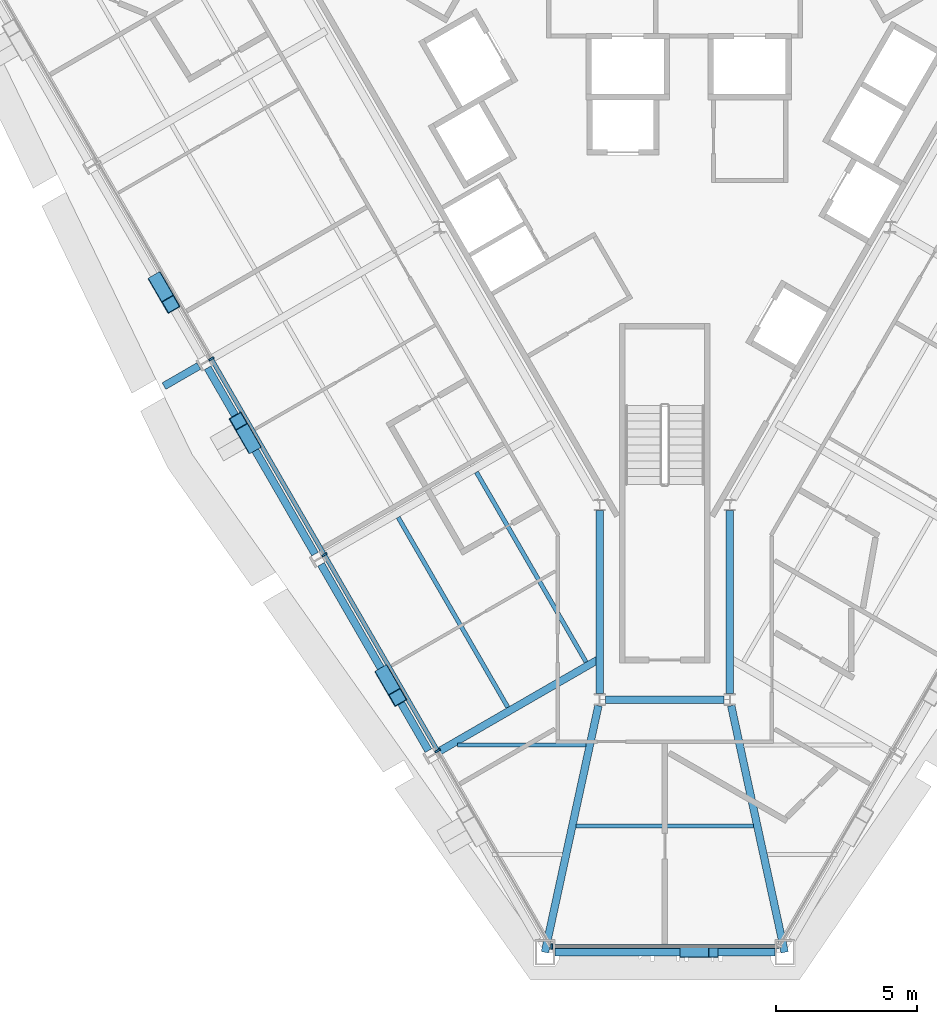
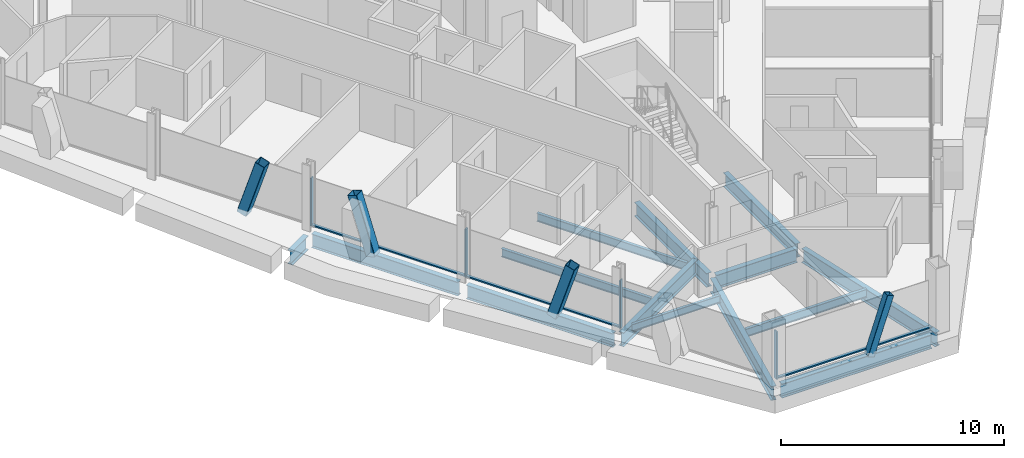
# One storey, part 3 of 16: 14 beams, 11 members, 2 elements without a shape of their own.
"""IFC4 building model written with IfcOpenShell, lengths in metres."""

import ifcopenshell
import ifcopenshell.guid

model = None  # the IFC model being written
_history = None  # IfcOwnerHistory: only IFC2X3 demands one
_inside = {}  # id of a spatial element -> (the spatial element, [elements in it])
_under = {}  # id of a project, library or spatial element -> (it, [spatial elements below it])
_declared = {}  # id of a project -> (the project, [libraries it declares])
_typed = {}  # id of a type object -> (the type object, [elements of that type])
_made_of = {}  # id of a material, layer set ... -> (it, [elements and type objects made of it])


def new_model(schema):
    """Start an empty IFC model of exactly this schema.

    Asked for "IFC4X3", IfcOpenShell would pick the latest addendum, in which some entities
    have other attributes; the version numbers below select the first issue.
    IFC2X3 requires an IfcOwnerHistory on every rooted entity: one is made here for all.
    """
    global model, _history
    if schema == "IFC4X3":
        model = ifcopenshell.file(schema_version=(4, 3, 0, 0))
    else:
        model = ifcopenshell.file(schema=schema)
    _inside.clear()
    _under.clear()
    _declared.clear()
    _typed.clear()
    _made_of.clear()
    _history = None
    if model.schema == "IFC2X3":
        org = make("IfcOrganization", Name="unknown")
        user = make(
            "IfcPersonAndOrganization",
            ThePerson=make("IfcPerson", FamilyName="unknown"),
            TheOrganization=org,
        )
        app = make(
            "IfcApplication",
            ApplicationDeveloper=org,
            Version="unknown",
            ApplicationFullName="unknown",
            ApplicationIdentifier="unknown",
        )
        _history = make(
            "IfcOwnerHistory",
            OwningUser=user,
            OwningApplication=app,
            ChangeAction="ADDED",
            CreationDate=0,
        )
    return model


def make(cls, **values):
    """One entity of the class cls with the attributes given. An attribute that is None is left unset."""
    return model.create_entity(
        cls, **{name: value for name, value in values.items() if value is not None}
    )


def rooted(cls, **values):
    """An entity with a GlobalId (a new one), such as an element, a storey or a relation."""
    return make(cls, GlobalId=ifcopenshell.guid.new(), OwnerHistory=_history, **values)


def si_unit(unit_type, name, prefix=None):
    """IfcSIUnit, for example si_unit("LENGTHUNIT", "METRE", prefix="MILLI")."""
    return make("IfcSIUnit", UnitType=unit_type, Prefix=prefix, Name=name)


def assignment(units):
    """IfcUnitAssignment: the units of a project."""
    return None if units is None else make("IfcUnitAssignment", Units=units)


def point(xyz):
    """IfcCartesianPoint."""
    return None if xyz is None else make("IfcCartesianPoint", Coordinates=xyz)


def direction(xyz):
    """IfcDirection."""
    return None if xyz is None else make("IfcDirection", DirectionRatios=xyz)


def frame(location, z_axis=None, x_axis=None):
    """IfcAxis2Placement3D, a coordinate frame: its origin and axes. An axis left out is left unset."""
    return make(
        "IfcAxis2Placement3D",
        Location=point(location),
        Axis=direction(z_axis),
        RefDirection=direction(x_axis),
    )


def frame_2d(location, x_axis=None):
    """IfcAxis2Placement2D, a coordinate frame in the plane: its origin and x axis."""
    return make(
        "IfcAxis2Placement2D", Location=point(location), RefDirection=direction(x_axis)
    )


def origin():
    """The frame at (0, 0, 0) with its axes left unset."""
    return frame((0.0, 0.0, 0.0))


def origin_2d():
    """The frame at (0, 0) in the plane with its x axis left unset."""
    return frame_2d((0.0, 0.0))


def place(relative_to, where):
    """IfcLocalPlacement: puts the frame where relative to a parent placement (None: the world)."""
    return make(
        "IfcLocalPlacement", PlacementRelTo=relative_to, RelativePlacement=where
    )


def context(
    kind, dimensions, precision=None, world=None, true_north=None, identifier=None
):
    """IfcGeometricRepresentationContext, for example the 3D "Model" context."""
    return make(
        "IfcGeometricRepresentationContext",
        ContextIdentifier=identifier,
        ContextType=kind,
        CoordinateSpaceDimension=dimensions,
        Precision=precision,
        WorldCoordinateSystem=world,
        TrueNorth=true_north,
    )


def subcontext(parent, identifier, kind, view, scale=None):
    """IfcGeometricRepresentationSubContext, for example "Body" below "Model"."""
    return make(
        "IfcGeometricRepresentationSubContext",
        ContextIdentifier=identifier,
        ContextType=kind,
        ParentContext=parent,
        TargetScale=scale,
        TargetView=view,
    )


def project(units=None, contexts=None):
    """IfcProject with its units and contexts."""
    return rooted(
        "IfcProject",
        Name="project",
        RepresentationContexts=contexts,
        UnitsInContext=assignment(units),
    )


def spatial(cls, under=None, at=None, **own):
    """A site, building, storey or space (cls), placed at a placement, below another one or the project."""
    s = rooted(cls, ObjectPlacement=at, **own)
    if under is not None:
        _under.setdefault(under.id(), (under, []))[1].append(s)
    return s


def profile(cls, at=None, kind="AREA", **sizes):
    """A parametric profile (cls). Its sizes go by their IFC names, for example OverallWidth=200.0."""
    return make(cls, ProfileType=kind, Position=at, **sizes)


def rectangle(**sizes):
    """IfcRectangleProfileDef."""
    return profile("IfcRectangleProfileDef", **sizes)


def hollow_rectangle(**sizes):
    """IfcRectangleHollowProfileDef."""
    return profile("IfcRectangleHollowProfileDef", **sizes)


def i_section(**sizes):
    """IfcIShapeProfileDef."""
    return profile("IfcIShapeProfileDef", **sizes)


def extrude(swept, where, along, depth):
    """IfcExtrudedAreaSolid: the profile swept, set in the frame where, extruded along a direction by depth."""
    return make(
        "IfcExtrudedAreaSolid",
        SweptArea=swept,
        Position=where,
        ExtrudedDirection=direction(along),
        Depth=depth,
    )


def shape(context_of_items, identifier, shape_type, items):
    """IfcShapeRepresentation: the items that make up one representation, for example the "Body"."""
    return make(
        "IfcShapeRepresentation",
        ContextOfItems=context_of_items,
        RepresentationIdentifier=identifier,
        RepresentationType=shape_type,
        Items=items,
    )


def material(Name=None, Category=None):
    """IfcMaterial."""
    return make("IfcMaterial", Name=Name, Category=Category)


def material_profile(
    of_material, cross_section, Name=None, Category=None, Priority=None
):
    """IfcMaterialProfile: a cross section and its material."""
    return make(
        "IfcMaterialProfile",
        Name=Name,
        Material=of_material,
        Profile=cross_section,
        Priority=Priority,
        Category=Category,
    )


def profile_set(profiles, Name=None, composite=None):
    """IfcMaterialProfileSet."""
    return make(
        "IfcMaterialProfileSet",
        Name=Name,
        MaterialProfiles=profiles,
        CompositeProfile=composite,
    )


def made_of(thing, what):
    """Note that an element or type object is made of a material, layer set ...; save() writes the relation."""
    if what is not None:
        _made_of.setdefault(what.id(), (what, []))[1].append(thing)
    return thing


def type_object(cls, material=None, **own):
    """A type object (cls), such as IfcWallType, which elements share."""
    return made_of(rooted(cls, **own), material)


def element(
    cls,
    number,
    at=None,
    inside=None,
    cuts=None,
    type_object=None,
    material=None,
    context=None,
    identifier="Body",
    shape_type=None,
    held_by="IfcProductDefinitionShape",
    body=None,
    shapes=None,
    **own,
):
    """One element of the class cls, such as IfcWall. Its Tag is "e" and its number.

    at: its placement. inside: the storey or other place that contains it. cuts: it is an
    opening in that element (IfcRelVoidsElement). A single representation is given by context,
    identifier, shape_type and body (its items); several are given by shapes. held_by: the class
    of the entity that holds the representations. save() writes the other relations.
    """
    e = rooted(cls, Tag="e%d" % number, ObjectPlacement=at, **own)
    if body is not None:
        shapes = [shape(context, identifier, shape_type, body)]
    if shapes is not None:
        e.Representation = make(held_by, Representations=shapes)
    if inside is not None:
        _inside.setdefault(inside.id(), (inside, []))[1].append(e)
    if cuts is not None:
        rooted(
            "IfcRelVoidsElement", RelatingBuildingElement=cuts, RelatedOpeningElement=e
        )
    if type_object is not None:
        _typed.setdefault(type_object.id(), (type_object, []))[1].append(e)
    return made_of(e, material)


def aggregate(whole, parts):
    """IfcRelAggregates: a whole, such as a stair, and the parts it consists of."""
    return rooted("IfcRelAggregates", RelatingObject=whole, RelatedObjects=parts)


def save(model, path):
    """Write the relations noted so far, then the file.

    IfcRelAggregates (storeys below a building ...), IfcRelContainedInSpatialStructure (elements
    in a storey), IfcRelDefinesByType, IfcRelAssociatesMaterial and IfcRelDeclares: one each for
    every whole, place, type object, material and project.
    """
    for whole, parts in _under.values():
        aggregate(whole, parts)
    for where, things in _inside.values():
        rooted(
            "IfcRelContainedInSpatialStructure",
            RelatedElements=things,
            RelatingStructure=where,
        )
    for kind, things in _typed.values():
        rooted("IfcRelDefinesByType", RelatedObjects=things, RelatingType=kind)
    for what, things in _made_of.values():
        rooted("IfcRelAssociatesMaterial", RelatedObjects=things, RelatingMaterial=what)
    for by, libraries in _declared.values():
        rooted("IfcRelDeclares", RelatingContext=by, RelatedDefinitions=libraries)
    model.write(path)


model = new_model("IFC4")

# Units and contexts
model_context = context("Model", 3, precision=1e-05, world=origin(), true_north=direction((0.0, 1.0)))
body_context = subcontext(model_context, "Body", "Model", "MODEL_VIEW")
ifc_project = project(units=[si_unit("LENGTHUNIT", "METRE"), si_unit("AREAUNIT", "SQUARE_METRE"), si_unit("VOLUMEUNIT", "CUBIC_METRE"), si_unit("PLANEANGLEUNIT", "RADIAN"), si_unit("MASSUNIT", "GRAM", prefix="KILO")], contexts=[model_context])

# Site, building, storey
site_placement = place(None, origin())
site = spatial("IfcSite", under=ifc_project, at=site_placement, CompositionType="ELEMENT")
building_placement = place(site_placement, origin())
building = spatial("IfcBuilding", under=site, at=building_placement, Name="Verrane Prism Tower", CompositionType="ELEMENT")
storey_placement = place(building_placement, frame((0.0, 0.0, 107.199951171875)))
storey = spatial("IfcBuildingStorey", under=building, at=storey_placement, Name="L25", CompositionType="ELEMENT", Elevation=107.199951171875)

# Member
ifc_material_1 = material(Name="Steel A500 Grade C", Category="steel")
ifc_material_profile_1 = material_profile(ifc_material_1, hollow_rectangle(XDim=0.355712890625, YDim=0.355712890625, WallThickness=0.0126953125, InnerFilletRadius=0.00634765625, OuterFilletRadius=0.01904296875, at=origin_2d()), Name="HSS14x14x1/2")
ifc_profile_set_1 = profile_set([ifc_material_profile_1], Name="Steel A500 Grade C")
member_type_1 = type_object("IfcMemberType", Name="Chamfer brace HSS14x14x1/2", PredefinedType="BRACE", material=ifc_profile_set_1)
member_1_placement = place(storey_placement, frame((0.7060546875, -30.239990234375, -0.2451171875), z_axis=(0.318977035917, 0.0, 0.947762444159), x_axis=(0.0, 1.0, 0.0)))
element("IfcMember", 1, at=member_1_placement, inside=storey, type_object=member_type_1, Name="Chamfer brace S0 L25", PredefinedType="BRACE", context=body_context, shape_type="SweptSolid", body=[
    extrude(hollow_rectangle(XDim=0.355712890625, YDim=0.355712890625, WallThickness=0.0126953125, InnerFilletRadius=0.00634765625, OuterFilletRadius=0.01904296875, at=origin_2d()), origin(), (0.0, 0.0, 1.0), 3.168701171875),
])

# Beams
ifc_material_2 = material(Name="Steel A992", Category="steel")
ifc_material_profile_2 = material_profile(ifc_material_2, i_section(OverallWidth=0.2666015625, OverallDepth=0.76708984375, WebThickness=0.014892578125, FlangeThickness=0.023681640625, FilletRadius=0.0166015625, at=origin_2d()), Name="W30x124")
ifc_profile_set_2 = profile_set([ifc_material_profile_2], Name="Steel A992")
beam_type_1 = type_object("IfcBeamType", Name="Chamfer spandrel beam W30x124", PredefinedType="SPANDREL", material=ifc_profile_set_2)
beam_1_placement = place(storey_placement, frame((-3.889892578125, -30.239990234375, -0.54345703125), z_axis=(1.0, 0.0, 0.0), x_axis=(0.0, 1.0, 0.0)))
element("IfcBeam", 2, at=beam_1_placement, inside=storey, type_object=beam_type_1, Name="Chamfer spandrel beam L25", PredefinedType="SPANDREL", context=body_context, shape_type="SweptSolid", body=[
    extrude(i_section(OverallWidth=0.2666015625, OverallDepth=0.76708984375, WebThickness=0.014892578125, FlangeThickness=0.023681640625, FilletRadius=0.0166015625, at=origin_2d()), origin(), (0.0, 0.0, 1.0), 7.77978515625),
])
ifc_material_3 = material(Name="Steel A992", Category="steel")
ifc_material_profile_3 = material_profile(ifc_material_3, i_section(OverallWidth=0.2666015625, OverallDepth=0.7568359375, WebThickness=0.013916015625, FlangeThickness=0.019287109375, FilletRadius=0.0166015625, at=origin_2d()), Name="W30x108")
ifc_profile_set_3 = profile_set([ifc_material_profile_3], Name="Steel A992")
beam_type_2 = type_object("IfcBeamType", Name="Core ring girder W30x108", PredefinedType="BEAM", material=ifc_profile_set_3)
beam_2_placement = place(storey_placement, frame((-2.300048828125, -14.619384765625, -0.62841796875), z_axis=(0.0, -1.0, 0.0), x_axis=(1.0, 0.0, 0.0)))
element("IfcBeam", 3, at=beam_2_placement, inside=storey, type_object=beam_type_2, Name="Core ring girder L25", PredefinedType="BEAM", context=body_context, shape_type="SweptSolid", body=[
    extrude(i_section(OverallWidth=0.2666015625, OverallDepth=0.7568359375, WebThickness=0.013916015625, FlangeThickness=0.019287109375, FilletRadius=0.0166015625, at=origin_2d()), origin(), (0.0, 0.0, 1.0), 6.46337890625),
])
beam_3_placement = place(storey_placement, frame((-2.09423828125, -21.300048828125, -0.62841796875), z_axis=(1.0, 0.0, 0.0), x_axis=(0.0, 1.0, 0.0)))
element("IfcBeam", 4, at=beam_3_placement, inside=storey, type_object=beam_type_2, Name="Core ring girder L25", PredefinedType="BEAM", context=body_context, shape_type="SweptSolid", body=[
    extrude(i_section(OverallWidth=0.2666015625, OverallDepth=0.7568359375, WebThickness=0.013916015625, FlangeThickness=0.019287109375, FilletRadius=0.0166015625, at=origin_2d()), origin(), (0.0, 0.0, 1.0), 4.1884765625),
])
beam_4_placement = place(storey_placement, frame((2.300048828125, -21.082763671875, -0.62841796875), z_axis=(0.0, 1.0, 0.0), x_axis=(-1.0, 0.0, 0.0)))
element("IfcBeam", 5, at=beam_4_placement, inside=storey, type_object=beam_type_2, Name="Core ring girder L25", PredefinedType="BEAM", context=body_context, shape_type="SweptSolid", body=[
    extrude(i_section(OverallWidth=0.2666015625, OverallDepth=0.7568359375, WebThickness=0.013916015625, FlangeThickness=0.019287109375, FilletRadius=0.0166015625, at=origin_2d()), origin(), (0.0, 0.0, 1.0), 6.46337890625),
])
ifc_material_4 = material(Name="Steel A992", Category="steel")
ifc_material_profile_4 = material_profile(ifc_material_4, i_section(OverallWidth=0.2666015625, OverallDepth=0.76708984375, WebThickness=0.014892578125, FlangeThickness=0.023681640625, FilletRadius=0.0166015625, at=origin_2d()), Name="W30x124")
ifc_profile_set_4 = profile_set([ifc_material_profile_4], Name="Steel A992")
beam_type_3 = type_object("IfcBeamType", Name="Corner girder W30x124", PredefinedType="BEAM", material=ifc_profile_set_4)
for number, where, z_axis, x_axis, name in (
    (6, (-4.239501953125, -30.2373046875, -0.603515625), (0.21206955081, 0.977254575645, 0.0), (-0.977254575645, 0.21206955081, 0.0), "Corner girder L25"),
    (7, (4.239501953125, -30.2373046875, -0.603515625), (-0.21206955081, 0.977254575645, 0.0), (-0.977254575645, -0.21206955081, 0.0), "Corner girder L25"),
):
    element("IfcBeam", number, at=place(storey_placement, frame(where, z_axis=z_axis, x_axis=x_axis)), inside=storey, type_object=beam_type_3, Name=name, PredefinedType="BEAM", context=body_context, shape_type="SweptSolid", body=[
        extrude(i_section(OverallWidth=0.2666015625, OverallDepth=0.76708984375, WebThickness=0.014892578125, FlangeThickness=0.023681640625, FilletRadius=0.0166015625, at=origin_2d()), origin(), (0.0, 0.0, 1.0), 8.923095703125),
    ])

# Members
ifc_material_5 = material(Name="Steel A1085 Grade A", Category="steel")
ifc_material_profile_5 = material_profile(ifc_material_5, hollow_rectangle(XDim=0.508056640625, YDim=0.508056640625, WallThickness=0.025390625, InnerFilletRadius=0.0126953125, OuterFilletRadius=0.0380859375, at=origin_2d()), Name="HSS20x20x1")
ifc_profile_set_5 = profile_set([ifc_material_profile_5], Name="Steel A1085 Grade A")
member_type_2 = type_object("IfcMemberType", Name="Facade brace HSS20x20x1", PredefinedType="BRACE", material=ifc_profile_set_5)
member_2_placement = place(storey_placement, frame((-17.94140625, -6.497314453125, -0.242431640625), z_axis=(0.151596255509, -0.262431681093, 0.952968093943), x_axis=(0.865909288953, 0.500201062879, 0.0)))
element("IfcMember", 8, at=member_2_placement, inside=storey, type_object=member_type_2, Name="Facade brace SW2 L25", PredefinedType="BRACE", context=body_context, shape_type="SweptSolid", body=[
    extrude(hollow_rectangle(XDim=0.508056640625, YDim=0.508056640625, WallThickness=0.025390625, InnerFilletRadius=0.0126953125, OuterFilletRadius=0.0380859375, at=origin_2d()), origin(), (0.0, 0.0, 1.0), 3.156494140625),
])
member_3_placement = place(storey_placement, frame((-14.598388671875, -12.287109375, -0.242431640625), z_axis=(-0.151653337577, 0.262860629488, 0.952840781383), x_axis=(-0.866181343495, -0.499729807177, 0.0)))
element("IfcMember", 9, at=member_3_placement, inside=storey, type_object=member_type_2, Name="Facade brace SW3 L25", PredefinedType="BRACE", context=body_context, shape_type="SweptSolid", body=[
    extrude(hollow_rectangle(XDim=0.508056640625, YDim=0.508056640625, WallThickness=0.025390625, InnerFilletRadius=0.0126953125, OuterFilletRadius=0.0380859375, at=origin_2d()), origin(), (0.0, 0.0, 1.0), 3.156982421875),
])
member_4_placement = place(storey_placement, frame((-9.92138671875, -20.39306640625, -0.242431640625), z_axis=(0.151580861177, -0.262791717489, 0.952871321714), x_axis=(0.86622802292, 0.49964888903, 0.0)))
element("IfcMember", 10, at=member_4_placement, inside=storey, type_object=member_type_2, Name="Facade brace SW4 L25", PredefinedType="BRACE", context=body_context, shape_type="SweptSolid", body=[
    extrude(hollow_rectangle(XDim=0.508056640625, YDim=0.508056640625, WallThickness=0.025390625, InnerFilletRadius=0.0126953125, OuterFilletRadius=0.0380859375, at=origin_2d()), origin(), (0.0, 0.0, 1.0), 3.15673828125),
])

# Beams
ifc_material_6 = material(Name="Steel A992", Category="steel")
ifc_material_profile_6 = material_profile(ifc_material_6, i_section(OverallWidth=0.140380859375, OverallDepth=0.40380859375, WebThickness=0.007080078125, FlangeThickness=0.01123046875, FilletRadius=0.01025390625, at=origin_2d()), Name="W16x31")
ifc_profile_set_6 = profile_set([ifc_material_profile_6], Name="Steel A992")
beam_type_4 = type_object("IfcBeamType", Name="Floor beam W16x31", PredefinedType="BEAM", material=ifc_profile_set_6)
beam_5_placement = place(storey_placement, frame((-7.33154296875, -22.913330078125, -0.36181640625), z_axis=(1.0, 0.0, 0.0), x_axis=(0.0, 1.0, 0.0)))
element("IfcBeam", 11, at=beam_5_placement, inside=storey, type_object=beam_type_4, Name="Floor beam L25", PredefinedType="BEAM", context=body_context, shape_type="SweptSolid", body=[
    extrude(i_section(OverallWidth=0.140380859375, OverallDepth=0.40380859375, WebThickness=0.007080078125, FlangeThickness=0.01123046875, FilletRadius=0.01025390625, at=origin_2d()), origin(), (0.0, 0.0, 1.0), 4.544921875),
])
ifc_material_7 = material(Name="Steel A992", Category="steel")
ifc_material_profile_7 = material_profile(ifc_material_7, i_section(OverallWidth=0.15234375, OverallDepth=0.449462890625, WebThickness=0.007568359375, FlangeThickness=0.0107421875, FilletRadius=0.01025390625, at=origin_2d()), Name="W18x35")
ifc_profile_set_7 = profile_set([ifc_material_profile_7], Name="Steel A992")
beam_type_5 = type_object("IfcBeamType", Name="Floor beam W18x35", PredefinedType="BEAM", material=ifc_profile_set_7)
beam_6_placement = place(storey_placement, frame((-2.783203125, -19.97509765625, -0.384765625), z_axis=(-0.500000526688, 0.866025099701, 0.0), x_axis=(-0.866025099701, -0.500000526688, 0.0)))
element("IfcBeam", 12, at=beam_6_placement, inside=storey, type_object=beam_type_5, Name="Floor beam L25", PredefinedType="BEAM", context=body_context, shape_type="SweptSolid", body=[
    extrude(i_section(OverallWidth=0.15234375, OverallDepth=0.449462890625, WebThickness=0.007568359375, FlangeThickness=0.0107421875, FilletRadius=0.01025390625, at=origin_2d()), origin(), (0.0, 0.0, 1.0), 7.751953125),
])
beam_7_placement = place(storey_placement, frame((-5.5498046875, -21.57470703125, -0.384765625), z_axis=(-0.500009527944, 0.866019902754, 0.0), x_axis=(-0.866019902754, -0.500009527944, 0.0)))
element("IfcBeam", 13, at=beam_7_placement, inside=storey, type_object=beam_type_5, Name="Floor beam L25", PredefinedType="BEAM", context=body_context, shape_type="SweptSolid", body=[
    extrude(i_section(OverallWidth=0.15234375, OverallDepth=0.449462890625, WebThickness=0.007568359375, FlangeThickness=0.0107421875, FilletRadius=0.01025390625, at=origin_2d()), origin(), (0.0, 0.0, 1.0), 7.754150390625),
])
beam_8_placement = place(storey_placement, frame((-3.13330078125, -25.77001953125, -0.384765625), z_axis=(1.0, 0.0, 0.0), x_axis=(0.0, 1.0, 0.0)))
element("IfcBeam", 14, at=beam_8_placement, inside=storey, type_object=beam_type_5, Name="Floor beam L25", PredefinedType="BEAM", context=body_context, shape_type="SweptSolid", body=[
    extrude(i_section(OverallWidth=0.15234375, OverallDepth=0.449462890625, WebThickness=0.007568359375, FlangeThickness=0.0107421875, FilletRadius=0.01025390625, at=origin_2d()), origin(), (0.0, 0.0, 1.0), 6.2666015625),
])

# Curtain wall, members
ifc_material_8 = material(Name="Aluminium framed insulated glazing", Category="aluminium")
curtain_wall_type = type_object("IfcCurtainWallType", Name="Curtain wall CW-A 8400 module", PredefinedType="NOTDEFINED", material=ifc_material_8)
curtain_wall_1_placement = place(storey_placement, origin())
curtain_wall_1 = element("IfcCurtainWall", 15, at=curtain_wall_1_placement, inside=storey, type_object=curtain_wall_type, Name="Glazed curtain wall south-west face L25", PredefinedType="NOTDEFINED")
ifc_material_9 = material(Name="Aluminium alloy 6063-T6", Category="aluminium")
ifc_material_profile_8 = material_profile(ifc_material_9, rectangle(XDim=0.199951171875, YDim=0.070068359375, at=origin_2d()), Name="Mullion 70x200 aluminium")
ifc_profile_set_8 = profile_set([ifc_material_profile_8], Name="Aluminium alloy 6063-T6")
member_type_3 = type_object("IfcMemberType", Name="Mullion 70x200 aluminium", PredefinedType="MULLION", material=ifc_profile_set_8)
member_5_placement = place(storey_placement, frame((-16.031005859375, -9.255615234375, 0.0), z_axis=(0.0, 0.0, 1.0), x_axis=(0.866025402318, 0.500000002539, 0.0)))
member_5 = element("IfcMember", 16, at=member_5_placement, type_object=member_type_3, Name="CW24.4 mullion 4", PredefinedType="MULLION", context=body_context, shape_type="SweptSolid", body=[
    extrude(rectangle(XDim=0.199951171875, YDim=0.070068359375, at=origin_2d()), origin(), (0.0, 0.0, 1.0), 2.613037109375),
])
member_6_placement = place(storey_placement, frame((-12.031982421875, -16.181884765625, 0.0), z_axis=(0.0, 0.0, 1.0), x_axis=(0.866025402318, 0.500000002539, 0.0)))
member_6 = element("IfcMember", 17, at=member_6_placement, type_object=member_type_3, Name="CW24.4 mullion 5", PredefinedType="MULLION", context=body_context, shape_type="SweptSolid", body=[
    extrude(rectangle(XDim=0.199951171875, YDim=0.070068359375, at=origin_2d()), origin(), (0.0, 0.0, 1.0), 2.613037109375),
])
member_7_placement = place(storey_placement, frame((-8.032958984375, -23.1083984375, 0.0), z_axis=(0.0, 0.0, 1.0), x_axis=(0.866025402318, 0.500000002539, 0.0)))
member_7 = element("IfcMember", 18, at=member_7_placement, type_object=member_type_3, Name="CW24.4 mullion 6", PredefinedType="MULLION", context=body_context, shape_type="SweptSolid", body=[
    extrude(rectangle(XDim=0.199951171875, YDim=0.070068359375, at=origin_2d()), origin(), (0.0, 0.0, 1.0), 2.613037109375),
])

# Curtain wall, member
curtain_wall_2_placement = place(storey_placement, origin())
curtain_wall_2 = element("IfcCurtainWall", 19, at=curtain_wall_2_placement, inside=storey, type_object=curtain_wall_type, Name="Glazed curtain wall south corner L25", PredefinedType="NOTDEFINED")
member_8_placement = place(storey_placement, frame((-3.998779296875, -30.034912109375, 0.0), z_axis=(0.0, 0.0, 1.0), x_axis=(0.0, 1.0, 0.0)))
member_8 = element("IfcMember", 20, at=member_8_placement, type_object=member_type_3, Name="CW24.5 mullion 1", PredefinedType="MULLION", context=body_context, shape_type="SweptSolid", body=[
    extrude(rectangle(XDim=0.199951171875, YDim=0.070068359375, at=origin_2d()), origin(), (0.0, 0.0, 1.0), 2.613037109375),
])

# Beams
ifc_material_10 = material(Name="Steel A992", Category="steel")
ifc_material_profile_9 = material_profile(ifc_material_10, i_section(OverallWidth=0.2666015625, OverallDepth=0.76708984375, WebThickness=0.014892578125, FlangeThickness=0.023681640625, FilletRadius=0.0166015625, at=origin_2d()), Name="W30x124")
ifc_profile_set_9 = profile_set([ifc_material_profile_9], Name="Steel A992")
beam_type_6 = type_object("IfcBeamType", Name="Radial girder W30x124", PredefinedType="BEAM", material=ifc_profile_set_9)
beam_9_placement = place(storey_placement, frame((-8.044189453125, -23.17138671875, -0.603515625), z_axis=(0.866007825616, 0.500030445044, 0.0), x_axis=(-0.500030445044, 0.866007825616, 0.0)))
element("IfcBeam", 21, at=beam_9_placement, inside=storey, type_object=beam_type_6, Name="Radial girder L25", PredefinedType="BEAM", context=body_context, shape_type="SweptSolid", body=[
    extrude(i_section(OverallWidth=0.2666015625, OverallDepth=0.76708984375, WebThickness=0.014892578125, FlangeThickness=0.023681640625, FilletRadius=0.0166015625, at=origin_2d()), origin(), (0.0, 0.0, 1.0), 6.6328125),
])
beam_10_placement = place(storey_placement, frame((-16.47216796875, -9.506591796875, -0.603515625), z_axis=(-0.865988727248, -0.500063520245, 0.0), x_axis=(0.500063520245, -0.865988727248, 0.0)))
element("IfcBeam", 22, at=beam_10_placement, inside=storey, type_object=beam_type_6, Name="Cantilever girder L25", PredefinedType="BEAM", context=body_context, shape_type="SweptSolid", body=[
    extrude(i_section(OverallWidth=0.2666015625, OverallDepth=0.76708984375, WebThickness=0.014892578125, FlangeThickness=0.023681640625, FilletRadius=0.0166015625, at=origin_2d()), origin(), (0.0, 0.0, 1.0), 1.425048828125),
])
ifc_material_11 = material(Name="Steel A992", Category="steel")
ifc_material_profile_10 = material_profile(ifc_material_11, i_section(OverallWidth=0.2666015625, OverallDepth=0.7568359375, WebThickness=0.013916015625, FlangeThickness=0.019287109375, FilletRadius=0.0166015625, at=origin_2d()), Name="W30x108")
ifc_profile_set_10 = profile_set([ifc_material_profile_10], Name="Steel A992")
beam_type_7 = type_object("IfcBeamType", Name="Spandrel beam W30x108", PredefinedType="SPANDREL", material=ifc_profile_set_10)
for number, where, z_axis, x_axis, name in (
    (23, (-16.1640625, -9.57373046875, -0.538330078125), (0.499770658239, -0.866157773828, 0.0), (0.866157773828, 0.499770658239, 0.0), "Spandrel beam L25"),
    (24, (-12.154052734375, -16.523681640625, -0.538330078125), (0.499770658239, -0.866157773828, 0.0), (0.866157773828, 0.499770658239, 0.0), "Spandrel beam L25"),
):
    element("IfcBeam", number, at=place(storey_placement, frame(where, z_axis=z_axis, x_axis=x_axis)), inside=storey, type_object=beam_type_7, Name=name, PredefinedType="SPANDREL", context=body_context, shape_type="SweptSolid", body=[
        extrude(i_section(OverallWidth=0.2666015625, OverallDepth=0.7568359375, WebThickness=0.013916015625, FlangeThickness=0.019287109375, FilletRadius=0.0166015625, at=origin_2d()), origin(), (0.0, 0.0, 1.0), 7.599609375),
    ])

# Member
ifc_material_12 = material(Name="Aluminium alloy 6063-T6", Category="aluminium")
ifc_material_profile_11 = material_profile(ifc_material_12, rectangle(XDim=0.14990234375, YDim=0.070068359375, at=origin_2d()), Name="Transom 70x150 aluminium")
ifc_profile_set_11 = profile_set([ifc_material_profile_11], Name="Aluminium alloy 6063-T6")
member_type_4 = type_object("IfcMemberType", Name="Transom 70x150 aluminium", PredefinedType="USERDEFINED", material=ifc_profile_set_11)
member_9_placement = place(storey_placement, frame((-16.013427734375, -9.285888671875, 0.03515625), z_axis=(0.50001745439, -0.866015326253, 0.0), x_axis=(0.866015326253, 0.50001745439, 0.0)))
member_9 = element("IfcMember", 25, at=member_9_placement, type_object=member_type_4, Name="CW24.4 transom 4", ObjectType="TRANSOM", PredefinedType="USERDEFINED", context=body_context, shape_type="SweptSolid", body=[
    extrude(rectangle(XDim=0.14990234375, YDim=0.070068359375, at=origin_2d()), origin(), (0.0, 0.0, 1.0), 7.927978515625),
])

member_10_placement = place(storey_placement, frame((-12.014404296875, -16.21240234375, 0.03515625), z_axis=(0.499994358189, -0.866028661061, 0.0), x_axis=(0.866028661061, 0.499994358189, 0.0)))
member_10 = element("IfcMember", 26, at=member_10_placement, type_object=member_type_4, Name="CW24.4 transom 5", ObjectType="TRANSOM", PredefinedType="USERDEFINED", context=body_context, shape_type="SweptSolid", body=[
    extrude(rectangle(XDim=0.14990234375, YDim=0.070068359375, at=origin_2d()), origin(), (0.0, 0.0, 1.0), 7.927734375),
])

aggregate(curtain_wall_1, [member_5, member_6, member_7, member_9, member_10])

member_11_placement = place(storey_placement, frame((-3.9638671875, -30.034912109375, 0.03515625), z_axis=(1.0, 0.0, 0.0), x_axis=(0.0, 1.0, 0.0)))
member_11 = element("IfcMember", 27, at=member_11_placement, type_object=member_type_4, Name="CW24.5 transom 1", ObjectType="TRANSOM", PredefinedType="USERDEFINED", context=body_context, shape_type="SweptSolid", body=[
    extrude(rectangle(XDim=0.14990234375, YDim=0.070068359375, at=origin_2d()), origin(), (0.0, 0.0, 1.0), 7.997802734375),
])

aggregate(curtain_wall_2, [member_8, member_11])

save(model, "model.ifc")
